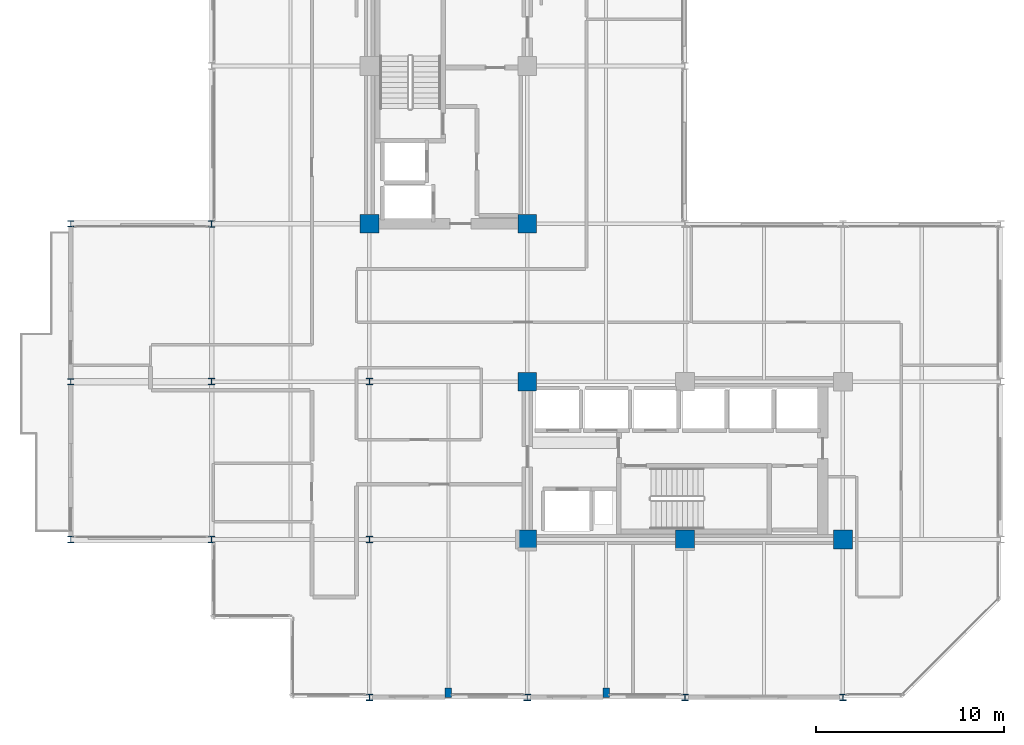
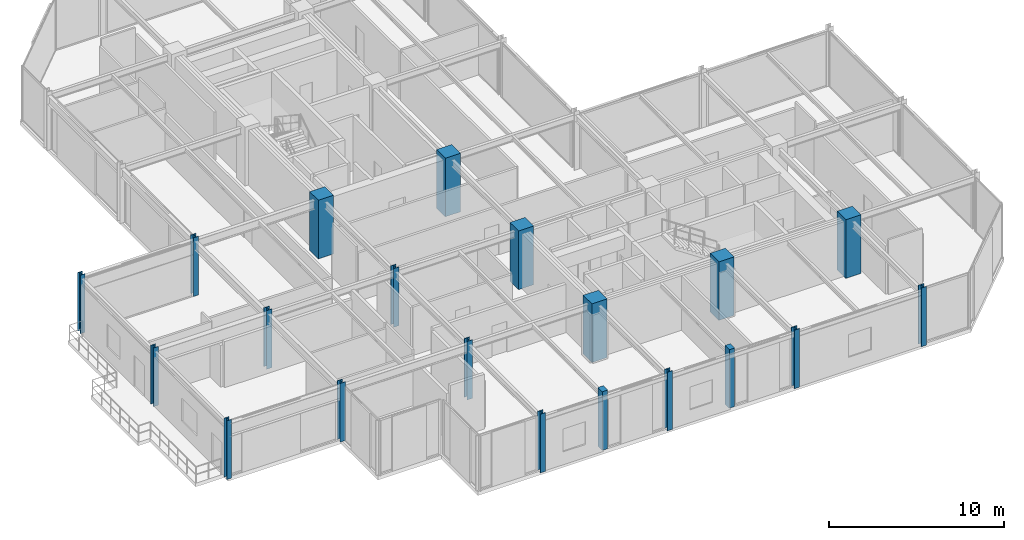
# One storey, part 1 of 29: 20 columns.
"""IFC4 building model written with IfcOpenShell, lengths in metres."""

from ifc_helpers import new_model, si_unit, direction, frame, origin, origin_2d, place, context, subcontext, project, spatial, rectangle, i_section, extrude, material, material_profile, profile_set, type_object, element, save


model = new_model("IFC4")

# Units and contexts
model_context = context("Model", 3, precision=1e-05, world=origin(), true_north=direction((0.0, 1.0)))
body_context = subcontext(model_context, "Body", "Model", "MODEL_VIEW")
ifc_project = project(units=[si_unit("LENGTHUNIT", "METRE"), si_unit("AREAUNIT", "SQUARE_METRE"), si_unit("VOLUMEUNIT", "CUBIC_METRE"), si_unit("PLANEANGLEUNIT", "RADIAN"), si_unit("MASSUNIT", "GRAM", prefix="KILO")], contexts=[model_context])

# Site, building, storey
site_placement = place(None, origin())
site = spatial("IfcSite", under=ifc_project, at=site_placement, CompositionType="ELEMENT")
building_placement = place(site_placement, origin())
building = spatial("IfcBuilding", under=site, at=building_placement, Name="Nerrivon Quay Data Exchange", CompositionType="ELEMENT")
storey_placement = place(building_placement, frame((0.0, 0.0, 200.10009765625)))
storey = spatial("IfcBuildingStorey", under=building, at=storey_placement, Name="L47", CompositionType="ELEMENT", Elevation=200.10009765625)

# Columns
ifc_material_1 = material(Name="Concrete S65 (65 MPa)", Category="concrete")
ifc_material_profile_1 = material_profile(ifc_material_1, rectangle(XDim=1.0, YDim=1.0, at=origin_2d()), Name="RC-COL-1000x1000")
ifc_profile_set_1 = profile_set([ifc_material_profile_1], Name="Concrete S65 (65 MPa)")
column_type_1 = type_object("IfcColumnType", Name="COL-C4-1000", PredefinedType="COLUMN", material=ifc_profile_set_1)
for number, where, z_axis, x_axis, name in (
    (1, (8.39990234375, 25.199951171875, 0.0), (0.0, 0.0, 1.0), (1.0, 0.0, 0.0), "L47 Column (8.4,25.2)"),
    (2, (16.800048828125, 8.39990234375, 0.0), (0.0, 0.0, 1.0), (1.0, 0.0, 0.0), "L47 Column (16.8,8.4)"),
    (3, (16.800048828125, 16.800048828125, 0.0), (0.0, 0.0, 1.0), (1.0, 0.0, 0.0), "L47 Column (16.8,16.8)"),
    (4, (16.800048828125, 25.199951171875, 0.0), (0.0, 0.0, 1.0), (1.0, 0.0, 0.0), "L47 Column (16.8,25.2)"),
    (5, (25.199951171875, 8.39990234375, 0.0), (0.0, 0.0, 1.0), (1.0, 0.0, 0.0), "L47 Column (25.2,8.4)"),
    (6, (33.60009765625, 8.39990234375, 0.0), (0.0, 0.0, 1.0), (1.0, 0.0, 0.0), "L47 Column (33.6,8.4)"),
):
    element("IfcColumn", number, at=place(storey_placement, frame(where, z_axis=z_axis, x_axis=x_axis)), inside=storey, type_object=column_type_1, Name=name, PredefinedType="COLUMN", context=body_context, shape_type="SweptSolid", body=[
        extrude(rectangle(XDim=1.0, YDim=1.0, at=origin_2d()), origin(), (0.0, 0.0, 1.0), 4.099853515625),
    ])
ifc_material_2 = material(Name="Steel Grade 350", Category="steel")
ifc_material_profile_2 = material_profile(ifc_material_2, i_section(OverallWidth=0.35009765625, OverallDepth=0.35009765625, WebThickness=0.02001953125, FlangeThickness=0.031982421875, at=origin_2d()), Name="350WC230")
ifc_profile_set_2 = profile_set([ifc_material_profile_2], Name="Steel Grade 350")
column_type_2 = type_object("IfcColumnType", Name="COL-SC3-350WC", PredefinedType="COLUMN", material=ifc_profile_set_2)
for number, where, z_axis, x_axis, name in (
    (7, (0.0, 8.39990234375, 0.0), (0.0, 0.0, 1.0), (1.0, 0.0, 0.0), "L47 Column (0.0,8.4)"),
    (8, (0.0, 16.800048828125, 0.0), (0.0, 0.0, 1.0), (1.0, 0.0, 0.0), "L47 Column (0.0,16.8)"),
    (9, (0.0, 25.199951171875, 0.0), (0.0, 0.0, 1.0), (1.0, 0.0, 0.0), "L47 Column (0.0,25.2)"),
    (10, (8.39990234375, 0.0, 0.0), (0.0, 0.0, 1.0), (1.0, 0.0, 0.0), "L47 Column (8.4,0.0)"),
    (11, (8.39990234375, 8.39990234375, 0.0), (0.0, 0.0, 1.0), (1.0, 0.0, 0.0), "L47 Column (8.4,8.4)"),
    (12, (8.39990234375, 16.800048828125, 0.0), (0.0, 0.0, 1.0), (1.0, 0.0, 0.0), "L47 Column (8.4,16.8)"),
    (13, (16.800048828125, 0.0, 0.0), (0.0, 0.0, 1.0), (1.0, 0.0, 0.0), "L47 Column (16.8,0.0)"),
    (14, (25.199951171875, 0.0, 0.0), (0.0, 0.0, 1.0), (1.0, 0.0, 0.0), "L47 Column (25.2,0.0)"),
    (15, (33.60009765625, 0.0, 0.0), (0.0, 0.0, 1.0), (1.0, 0.0, 0.0), "L47 Column (33.6,0.0)"),
):
    element("IfcColumn", number, at=place(storey_placement, frame(where, z_axis=z_axis, x_axis=x_axis)), inside=storey, type_object=column_type_2, Name=name, PredefinedType="COLUMN", context=body_context, shape_type="SweptSolid", body=[
        extrude(i_section(OverallWidth=0.35009765625, OverallDepth=0.35009765625, WebThickness=0.02001953125, FlangeThickness=0.031982421875, at=origin_2d()), origin(), (0.0, 0.0, 1.0), 4.099853515625),
    ])
ifc_material_profile_3 = material_profile(ifc_material_2, i_section(OverallWidth=0.31103515625, OverallDepth=0.326904296875, WebThickness=0.015625, FlangeThickness=0.02490234375, FilletRadius=0.0166015625, at=origin_2d()), Name="310UC158")
ifc_profile_set_3 = profile_set([ifc_material_profile_3], Name="Steel Grade 350")
column_type_3 = type_object("IfcColumnType", Name="COL-SC4-310UC158", PredefinedType="COLUMN", material=ifc_profile_set_3)
for number, where, z_axis, x_axis, name in (
    (16, (-7.5, 8.39990234375, 0.0), (0.0, 0.0, 1.0), (1.0, 0.0, 0.0), "L47 West Hooked Post (-7.5,8.4)"),
    (17, (-7.5, 16.800048828125, 0.0), (0.0, 0.0, 1.0), (1.0, 0.0, 0.0), "L47 West Hooked Post (-7.5,16.8)"),
    (18, (-7.5, 25.199951171875, 0.0), (0.0, 0.0, 1.0), (1.0, 0.0, 0.0), "L47 West Hooked Post (-7.5,25.2)"),
):
    element("IfcColumn", number, at=place(storey_placement, frame(where, z_axis=z_axis, x_axis=x_axis)), inside=storey, type_object=column_type_3, Name=name, PredefinedType="COLUMN", context=body_context, shape_type="SweptSolid", body=[
        extrude(i_section(OverallWidth=0.31103515625, OverallDepth=0.326904296875, WebThickness=0.015625, FlangeThickness=0.02490234375, FilletRadius=0.0166015625, at=origin_2d()), origin(), (0.0, 0.0, 1.0), 4.099853515625),
    ])
ifc_material_3 = material(Name="Concrete N50 (50 MPa)", Category="concrete")
ifc_material_profile_4 = material_profile(ifc_material_3, rectangle(XDim=0.35009765625, YDim=0.5, at=origin_2d()), Name="RC-PIL-500x350")
ifc_profile_set_4 = profile_set([ifc_material_profile_4], Name="Concrete N50 (50 MPa)")
column_type_4 = type_object("IfcColumnType", Name="PIL-P2-500x350", PredefinedType="PILASTER", material=ifc_profile_set_4)
for number, where, z_axis, x_axis, name in (
    (19, (12.60009765625, 0.25, 0.0), (0.0, 0.0, 1.0), (1.0, 0.0, 0.0), "L47 Facade Pilaster (12.6)"),
    (20, (21.0, 0.25, 0.0), (0.0, 0.0, 1.0), (1.0, 0.0, 0.0), "L47 Facade Pilaster (21.0)"),
):
    element("IfcColumn", number, at=place(storey_placement, frame(where, z_axis=z_axis, x_axis=x_axis)), inside=storey, type_object=column_type_4, Name=name, PredefinedType="PILASTER", context=body_context, shape_type="SweptSolid", body=[
        extrude(rectangle(XDim=0.35009765625, YDim=0.5, at=origin_2d()), origin(), (0.0, 0.0, 1.0), 4.099853515625),
    ])

save(model, "model.ifc")
